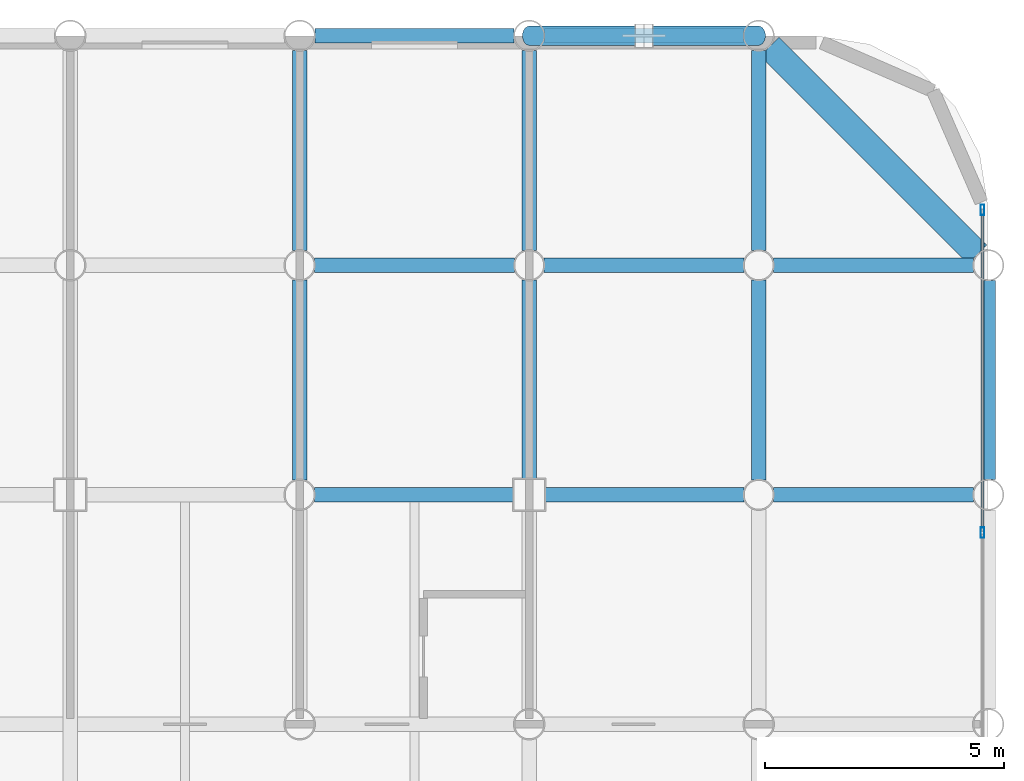
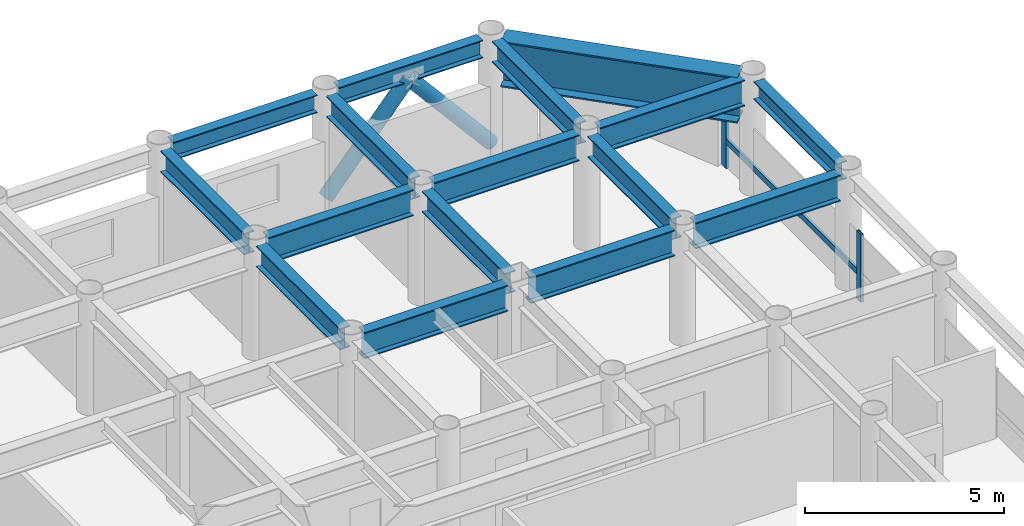
# One storey, part 15 of 22: 16 beams, 5 members, 1 element without a shape of its own.
"""IFC4 building model written with IfcOpenShell, lengths in metres."""

from ifc_helpers import new_model, si_unit, direction, frame, origin, origin_2d, place, context, subcontext, project, spatial, hollow_rectangle, hollow_circle, i_section, extrude, material, layer, layer_set, material_profile, profile_set, type_object, element, aggregate, save


model = new_model("IFC4")

# Units and contexts
model_context = context("Model", 3, precision=1e-05, world=origin(), true_north=direction((0.0, 1.0)))
body_context = subcontext(model_context, "Body", "Model", "MODEL_VIEW")
ifc_project = project(units=[si_unit("LENGTHUNIT", "METRE"), si_unit("AREAUNIT", "SQUARE_METRE"), si_unit("VOLUMEUNIT", "CUBIC_METRE"), si_unit("PLANEANGLEUNIT", "RADIAN"), si_unit("MASSUNIT", "GRAM", prefix="KILO")], contexts=[model_context])

# Site, building, storey
site_placement = place(None, origin())
site = spatial("IfcSite", under=ifc_project, at=site_placement, CompositionType="ELEMENT")
building_placement = place(site_placement, origin())
building = spatial("IfcBuilding", under=site, at=building_placement, Name="Kallvorn Hotel Tower", CompositionType="ELEMENT")
storey_placement = place(building_placement, frame((0.0, 0.0, 106.300048828125)))
storey = spatial("IfcBuildingStorey", under=building, at=storey_placement, Name="L25", CompositionType="ELEMENT", Elevation=106.300048828125)

# Beams
ifc_material_1 = material(Name="Structural steel S355JR", Category="steel")
ifc_material_profile_1 = material_profile(ifc_material_1, i_section(OverallWidth=0.300048828125, OverallDepth=0.550048828125, WebThickness=0.014892578125, FlangeThickness=0.029052734375, at=origin_2d()), Name="HE 550 B")
ifc_profile_set_1 = profile_set([ifc_material_profile_1], Name="Structural steel S355JR")
beam_type_1 = type_object("IfcBeamType", Name="BM_HE550B", PredefinedType="SPANDREL", material=ifc_profile_set_1)
for number, where, z_axis, x_axis, name in (
    (1, (19.52001953125, 24.0, 3.244873046875), (1.0, 0.0, 0.0), (0.0, 1.0, 0.0), "L26 Perimeter Spandrel 172"),
    (2, (24.320068359375, 24.0, 3.244873046875), (1.0, 0.0, 0.0), (0.0, 1.0, 0.0), "L26 Perimeter Spandrel 173"),
    (3, (33.60009765625, 14.719970703125, 3.244873046875), (0.0, 1.0, 0.0), (-1.0, 0.0, 0.0), "L26 Perimeter Spandrel 188"),
):
    element("IfcBeam", number, at=place(storey_placement, frame(where, z_axis=z_axis, x_axis=x_axis)), inside=storey, type_object=beam_type_1, Name=name, PredefinedType="SPANDREL", context=body_context, shape_type="SweptSolid", body=[
        extrude(i_section(OverallWidth=0.300048828125, OverallDepth=0.550048828125, WebThickness=0.014892578125, FlangeThickness=0.029052734375, at=origin_2d()), origin(), (0.0, 0.0, 1.0), 4.159912109375),
    ])
ifc_material_2 = material(Name="Structural steel S355JR", Category="steel")
ifc_material_profile_2 = material_profile(ifc_material_2, i_section(OverallWidth=0.300048828125, OverallDepth=0.64990234375, WebThickness=0.01611328125, FlangeThickness=0.031005859375, at=origin_2d()), Name="HE 650 B")
ifc_profile_set_2 = profile_set([ifc_material_profile_2], Name="Structural steel S355JR")
beam_type_2 = type_object("IfcBeamType", Name="BM_HE650B", PredefinedType="BEAM", material=ifc_profile_set_2)
beam_1_placement = place(storey_placement, frame((19.199951171875, 14.705078125, 3.195068359375), z_axis=(0.0, 1.0, 0.0), x_axis=(-1.0, 0.0, 0.0)))
element("IfcBeam", 4, at=beam_1_placement, inside=storey, type_object=beam_type_2, Name="L26 Primary Y-Girder 133", PredefinedType="BEAM", context=body_context, shape_type="SweptSolid", body=[
    extrude(i_section(OverallWidth=0.300048828125, OverallDepth=0.64990234375, WebThickness=0.01611328125, FlangeThickness=0.031005859375, at=origin_2d()), origin(), (0.0, 0.0, 1.0), 4.18994140625),
])
beam_2_placement = place(storey_placement, frame((19.199951171875, 19.5048828125, 3.195068359375), z_axis=(0.0, 1.0, 0.0), x_axis=(-1.0, 0.0, 0.0)))
element("IfcBeam", 5, at=beam_2_placement, inside=storey, type_object=beam_type_2, Name="L26 Primary Y-Girder 134", PredefinedType="BEAM", context=body_context, shape_type="SweptSolid", body=[
    extrude(i_section(OverallWidth=0.300048828125, OverallDepth=0.64990234375, WebThickness=0.01611328125, FlangeThickness=0.031005859375, at=origin_2d()), origin(), (0.0, 0.0, 1.0), 4.190185546875),
])
beam_3_placement = place(storey_placement, frame((24.0, 14.72509765625, 3.195068359375), z_axis=(0.0, 1.0, 0.0), x_axis=(-1.0, 0.0, 0.0)))
element("IfcBeam", 6, at=beam_3_placement, inside=storey, type_object=beam_type_2, Name="L26 Primary Y-Girder 140", PredefinedType="BEAM", context=body_context, shape_type="SweptSolid", body=[
    extrude(i_section(OverallWidth=0.300048828125, OverallDepth=0.64990234375, WebThickness=0.01611328125, FlangeThickness=0.031005859375, at=origin_2d()), origin(), (0.0, 0.0, 1.0), 4.169921875),
])
beam_4_placement = place(storey_placement, frame((24.0, 19.5048828125, 3.195068359375), z_axis=(0.0, 1.0, 0.0), x_axis=(-1.0, 0.0, 0.0)))
element("IfcBeam", 7, at=beam_4_placement, inside=storey, type_object=beam_type_2, Name="L26 Primary Y-Girder 141", PredefinedType="BEAM", context=body_context, shape_type="SweptSolid", body=[
    extrude(i_section(OverallWidth=0.300048828125, OverallDepth=0.64990234375, WebThickness=0.01611328125, FlangeThickness=0.031005859375, at=origin_2d()), origin(), (0.0, 0.0, 1.0), 4.190185546875),
])
beam_5_placement = place(storey_placement, frame((28.800048828125, 14.705078125, 3.195068359375), z_axis=(0.0, 1.0, 0.0), x_axis=(-1.0, 0.0, 0.0)))
element("IfcBeam", 8, at=beam_5_placement, inside=storey, type_object=beam_type_2, Name="L26 Primary Y-Girder 149", PredefinedType="BEAM", context=body_context, shape_type="SweptSolid", body=[
    extrude(i_section(OverallWidth=0.300048828125, OverallDepth=0.64990234375, WebThickness=0.01611328125, FlangeThickness=0.031005859375, at=origin_2d()), origin(), (0.0, 0.0, 1.0), 4.18994140625),
])
beam_6_placement = place(storey_placement, frame((28.800048828125, 19.5048828125, 3.195068359375), z_axis=(0.0, 1.0, 0.0), x_axis=(-1.0, 0.0, 0.0)))
element("IfcBeam", 9, at=beam_6_placement, inside=storey, type_object=beam_type_2, Name="L26 Primary Y-Girder 150", PredefinedType="BEAM", context=body_context, shape_type="SweptSolid", body=[
    extrude(i_section(OverallWidth=0.300048828125, OverallDepth=0.64990234375, WebThickness=0.01611328125, FlangeThickness=0.031005859375, at=origin_2d()), origin(), (0.0, 0.0, 1.0), 4.190185546875),
])
ifc_material_3 = material(Name="Structural steel S355JR", Category="steel")
ifc_material_profile_3 = material_profile(ifc_material_3, i_section(OverallWidth=0.300048828125, OverallDepth=0.800048828125, WebThickness=0.017578125, FlangeThickness=0.032958984375, at=origin_2d()), Name="HE 800 B")
ifc_profile_set_3 = profile_set([ifc_material_profile_3], Name="Structural steel S355JR")
beam_type_3 = type_object("IfcBeamType", Name="BM_HE800B", PredefinedType="BEAM", material=ifc_profile_set_3)
for number, where, z_axis, x_axis, name in (
    (10, (19.5048828125, 14.39990234375, 3.119873046875), (1.0, 0.0, 0.0), (0.0, 1.0, 0.0), "L26 Primary X-Girder 57"),
    (11, (24.324951171875, 14.39990234375, 3.119873046875), (1.0, 0.0, 0.0), (0.0, 1.0, 0.0), "L26 Primary X-Girder 58"),
):
    element("IfcBeam", number, at=place(storey_placement, frame(where, z_axis=z_axis, x_axis=x_axis)), inside=storey, type_object=beam_type_3, Name=name, PredefinedType="BEAM", context=body_context, shape_type="SweptSolid", body=[
        extrude(i_section(OverallWidth=0.300048828125, OverallDepth=0.800048828125, WebThickness=0.017578125, FlangeThickness=0.032958984375, at=origin_2d()), origin(), (0.0, 0.0, 1.0), 4.170166015625),
    ])
beam_7_placement = place(storey_placement, frame((29.10498046875, 14.39990234375, 3.119873046875), z_axis=(1.0, 0.0, 0.0), x_axis=(0.0, 1.0, 0.0)))
element("IfcBeam", 12, at=beam_7_placement, inside=storey, type_object=beam_type_3, Name="L26 Primary X-Girder 59", PredefinedType="BEAM", context=body_context, shape_type="SweptSolid", body=[
    extrude(i_section(OverallWidth=0.300048828125, OverallDepth=0.800048828125, WebThickness=0.017578125, FlangeThickness=0.032958984375, at=origin_2d()), origin(), (0.0, 0.0, 1.0), 4.18994140625),
])
for number, where, z_axis, x_axis, name in (
    (13, (19.5048828125, 19.199951171875, 3.119873046875), (1.0, 0.0, 0.0), (0.0, 1.0, 0.0), "L26 Primary X-Girder 70"),
    (14, (24.304931640625, 19.199951171875, 3.119873046875), (1.0, 0.0, 0.0), (0.0, 1.0, 0.0), "L26 Primary X-Girder 71"),
):
    element("IfcBeam", number, at=place(storey_placement, frame(where, z_axis=z_axis, x_axis=x_axis)), inside=storey, type_object=beam_type_3, Name=name, PredefinedType="BEAM", context=body_context, shape_type="SweptSolid", body=[
        extrude(i_section(OverallWidth=0.300048828125, OverallDepth=0.800048828125, WebThickness=0.017578125, FlangeThickness=0.032958984375, at=origin_2d()), origin(), (0.0, 0.0, 1.0), 4.190185546875),
    ])
beam_8_placement = place(storey_placement, frame((29.10498046875, 19.199951171875, 3.119873046875), z_axis=(1.0, 0.0, 0.0), x_axis=(0.0, 1.0, 0.0)))
element("IfcBeam", 15, at=beam_8_placement, inside=storey, type_object=beam_type_3, Name="L26 Primary X-Girder 72", PredefinedType="BEAM", context=body_context, shape_type="SweptSolid", body=[
    extrude(i_section(OverallWidth=0.300048828125, OverallDepth=0.800048828125, WebThickness=0.017578125, FlangeThickness=0.032958984375, at=origin_2d()), origin(), (0.0, 0.0, 1.0), 4.18994140625),
])
ifc_material_4 = material(Name="Structural steel S355JR", Category="steel")
ifc_material_profile_4 = material_profile(ifc_material_4, i_section(OverallWidth=0.550048828125, OverallDepth=1.39990234375, WebThickness=0.02490234375, FlangeThickness=0.044921875, at=origin_2d()), Name="PG 1400x550x25x45")
ifc_profile_set_4 = profile_set([ifc_material_profile_4], Name="Structural steel S355JR")
beam_type_4 = type_object("IfcBeamType", Name="BM_PG_1400", PredefinedType="BEAM", material=ifc_profile_set_4)
beam_9_placement = place(storey_placement, frame((33.373779296875, 19.42626953125, 2.820068359375), z_axis=(-0.707106781187, 0.707106781187, 0.0), x_axis=(-0.707106781187, -0.707106781187, 0.0)))
element("IfcBeam", 16, at=beam_9_placement, inside=storey, type_object=beam_type_4, Name="L26 Rounded Corner Tie Beam 191", PredefinedType="BEAM", context=body_context, shape_type="SweptSolid", body=[
    extrude(i_section(OverallWidth=0.550048828125, OverallDepth=1.39990234375, WebThickness=0.02490234375, FlangeThickness=0.044921875, at=origin_2d()), origin(), (0.0, 0.0, 1.0), 6.148193359375),
])

# Curtain wall, members
ifc_material_5 = material(Name="Thermally broken black-anodised aluminium AA 6063-T6", Category="aluminium")
ifc_layer = layer(ifc_material_5, 0.199951171875)
ifc_layer_set = layer_set([ifc_layer], Name="CW_SYS_3_HOTEL_LOW")
curtain_wall_type = type_object("IfcCurtainWallType", Name="CW_SYS_3_HOTEL_LOW", PredefinedType="USERDEFINED", material=ifc_layer_set)
curtain_wall_placement = place(storey_placement, origin())
curtain_wall = element("IfcCurtainWall", 17, at=curtain_wall_placement, inside=storey, type_object=curtain_wall_type, Name="L25 Dark-Glass Curtain Wall CW-L25-EN", ObjectType="UNITISED CURTAIN WALL", PredefinedType="USERDEFINED")
ifc_material_6 = material(Name="Thermally broken black-anodised aluminium AA 6063-T6", Category="aluminium")
ifc_material_profile_5 = material_profile(ifc_material_6, hollow_rectangle(XDim=0.080078125, YDim=0.219970703125, WallThickness=0.0048828125, at=origin_2d()), Name="MUL 220x80")
ifc_profile_set_5 = profile_set([ifc_material_profile_5], Name="Thermally broken black-anodised aluminium AA 6063-T6")
member_type_1 = type_object("IfcMemberType", Name="CW_MULLION_220x80", PredefinedType="MULLION", material=ifc_profile_set_5)
member_1_placement = place(storey_placement, frame((33.47998046875, 13.606689453125, 0.02001953125), z_axis=(0.0, 0.0, 1.0), x_axis=(1.0, 0.0, 0.0)))
member_1 = element("IfcMember", 18, at=member_1_placement, type_object=member_type_1, Name="CW-L25-EN Mullion 02", PredefinedType="MULLION", context=body_context, shape_type="SweptSolid", body=[
    extrude(hollow_rectangle(XDim=0.080078125, YDim=0.219970703125, WallThickness=0.0048828125, at=origin_2d()), origin(), (0.0, 0.0, 1.0), 2.079833984375),
])
member_2_placement = place(storey_placement, frame((33.47998046875, 20.360107421875, 0.02001953125), z_axis=(0.0, 0.0, 1.0), x_axis=(1.0, 0.0, 0.0)))
member_2 = element("IfcMember", 19, at=member_2_placement, type_object=member_type_1, Name="CW-L25-EN Mullion 03", PredefinedType="MULLION", context=body_context, shape_type="SweptSolid", body=[
    extrude(hollow_rectangle(XDim=0.080078125, YDim=0.219970703125, WallThickness=0.0048828125, at=origin_2d()), origin(), (0.0, 0.0, 1.0), 2.079833984375),
])
ifc_material_7 = material(Name="Thermally broken black-anodised aluminium AA 6063-T6", Category="aluminium")
ifc_material_profile_6 = material_profile(ifc_material_7, hollow_rectangle(XDim=0.070068359375, YDim=0.179931640625, WallThickness=0.00390625, at=origin_2d()), Name="TRN 180x70")
ifc_profile_set_6 = profile_set([ifc_material_profile_6], Name="Thermally broken black-anodised aluminium AA 6063-T6")
member_type_2 = type_object("IfcMemberType", Name="CW_TRANSOM_180x70", PredefinedType="USERDEFINED", material=ifc_profile_set_6)
member_3_placement = place(storey_placement, frame((33.47998046875, 13.646728515625, 0.849853515625), z_axis=(0.0, 1.0, 0.0), x_axis=(-1.0, 0.0, 0.0)))
member_3 = element("IfcMember", 20, at=member_3_placement, type_object=member_type_2, Name="CW-L25-EN Transom 02M", ObjectType="TRANSOM", PredefinedType="USERDEFINED", context=body_context, shape_type="SweptSolid", body=[
    extrude(hollow_rectangle(XDim=0.070068359375, YDim=0.179931640625, WallThickness=0.00390625, at=origin_2d()), origin(), (0.0, 0.0, 1.0), 6.71337890625),
])
aggregate(curtain_wall, [member_1, member_2, member_3])

# Members
ifc_material_8 = material(Name="Structural steel S355J2H", Category="steel")
ifc_material_profile_7 = material_profile(ifc_material_8, hollow_circle(Radius=0.203125, WallThickness=0.01611328125, at=origin_2d()), Name="CHS 406.4x16")
ifc_profile_set_7 = profile_set([ifc_material_profile_7], Name="Structural steel S355J2H")
member_type_3 = type_object("IfcMemberType", Name="MBR_EXO_CHS406", PredefinedType="BRACE", material=ifc_profile_set_7)
for number, where, z_axis, x_axis, name in (
    (21, (24.012939453125, 24.0, 0.1953125), (0.646833296797, 0.0, 0.762631422218), (0.0, 1.0, 0.0), "L25 Exoskeleton K-Brace N2A"),
    (22, (28.787109375, 24.0, 0.1953125), (-0.646833296797, 0.0, 0.762631422218), (0.0, -1.0, 0.0), "L25 Exoskeleton K-Brace N2B"),
):
    element("IfcMember", number, at=place(storey_placement, frame(where, z_axis=z_axis, x_axis=x_axis)), inside=storey, type_object=member_type_3, Name=name, PredefinedType="BRACE", context=body_context, shape_type="SweptSolid", body=[
        extrude(hollow_circle(Radius=0.203125, WallThickness=0.01611328125, at=origin_2d()), origin(), (0.0, 0.0, 1.0), 3.670654296875),
    ])

save(model, "model.ifc")
